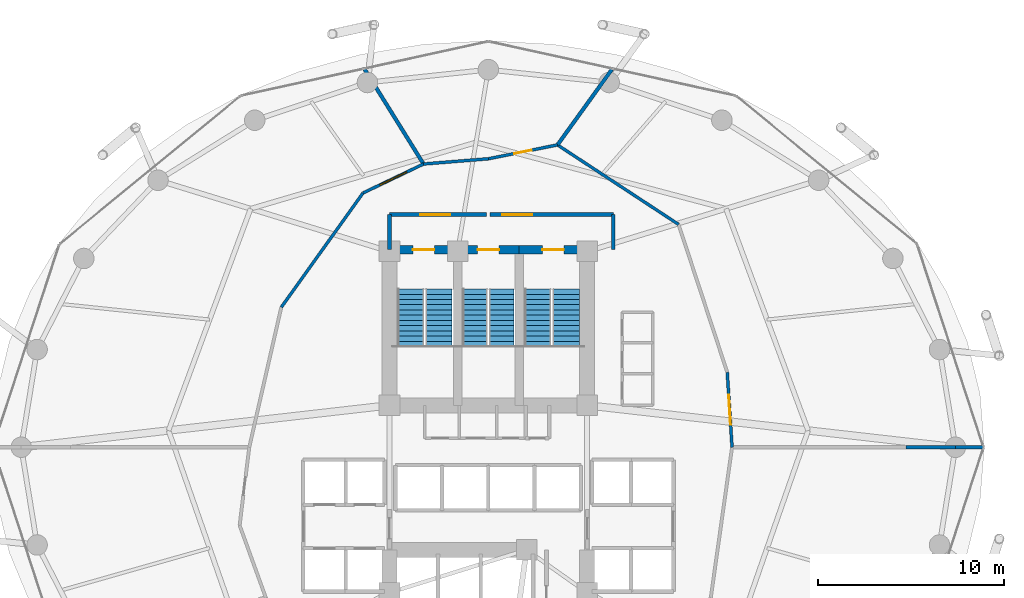
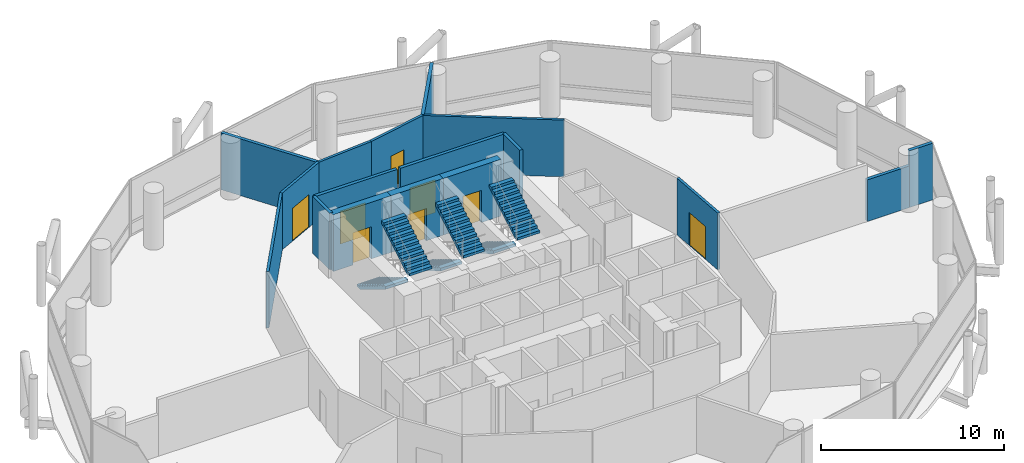
# One storey, part 23 of 24: 17 walls, 8 doors, 6 stair flights, 8 openings, 3 elements without a shape of their own.
"""IFC4 building model written with IfcOpenShell, lengths in metres."""

from ifc_helpers import new_model, si_unit, direction, frame, frame_2d, origin, place, context, subcontext, project, spatial, polyline, rectangle, outline, extrude, material, layer, layer_set, type_object, element, fill, aggregate, save


model = new_model("IFC4")

# Units and contexts
model_context = context("Model", 3, precision=1e-05, world=origin(), true_north=direction((0.0, 1.0)))
body_context = subcontext(model_context, "Body", "Model", "MODEL_VIEW")
ifc_project = project(units=[si_unit("LENGTHUNIT", "METRE"), si_unit("AREAUNIT", "SQUARE_METRE"), si_unit("VOLUMEUNIT", "CUBIC_METRE"), si_unit("PLANEANGLEUNIT", "RADIAN"), si_unit("MASSUNIT", "GRAM", prefix="KILO")], contexts=[model_context])

# Site, building, storey
site_placement = place(None, origin())
site = spatial("IfcSite", under=ifc_project, at=site_placement, CompositionType="ELEMENT")
building_placement = place(site_placement, origin())
building = spatial("IfcBuilding", under=site, at=building_placement, Name="Nuhasar Tower", CompositionType="ELEMENT")
storey_placement = place(building_placement, frame((0.0, 0.0, 29.10009765625)))
storey = spatial("IfcBuildingStorey", under=building, at=storey_placement, Name="L06", CompositionType="ELEMENT", Elevation=29.10009765625)

# Wall, opening, door
ifc_material_1 = material(Name="Concrete C50/60", Category="concrete")
ifc_layer_1 = layer(ifc_material_1, 0.449951171875)
ifc_layer_set_1 = layer_set([ifc_layer_1], Name="Concrete C50/60")
wall_type_1 = type_object("IfcWallType", Name="WL-CORE-450", PredefinedType="SHEAR", material=ifc_layer_set_1)
wall_1_placement = place(storey_placement, frame((37.35009765625, 37.39990234375, 0.0), z_axis=(0.0, 0.0, 1.0), x_axis=(-1.0, 0.0, 0.0)))
wall_1 = element("IfcWall", 1, at=wall_1_placement, inside=storey, type_object=wall_type_1, Name="L06 Stairwell Shear Wall ST01-N", PredefinedType="SHEAR", context=body_context, shape_type="SweptSolid", body=[
    extrude(rectangle(XDim=3.650146484375, YDim=0.449951171875, at=frame_2d((1.8251953125, 0.0))), origin(), (0.0, 0.0, 1.0), 3.789794921875),
])
opening_1_placement = place(wall_1_placement, frame((1.25, 0.0, 0.0)))
opening_1 = element("IfcOpeningElement", 2, at=opening_1_placement, cuts=wall_1, Name="Opening DS-01", PredefinedType="OPENING", context=body_context, shape_type="SweptSolid", body=[
    extrude(rectangle(XDim=1.14990234375, YDim=2.14990234375, at=frame_2d((0.574951171875, 1.074951171875))), frame((0.0, 0.23486328125, 0.0), z_axis=(0.0, -1.0, 0.0), x_axis=(1.0, 0.0, 0.0)), (0.0, 0.0, 1.0), 0.469970703125),
])
ifc_material_2 = material(Name="Steel S355", Category="steel")
door_type_1 = type_object("IfcDoorType", Name="DR-STAIR-FD120-1150", OperationType="NOTDEFINED", PredefinedType="DOOR", material=ifc_material_2)
door_1_placement = place(opening_1_placement, origin())
door_1 = element("IfcDoor", 3, at=door_1_placement, inside=storey, type_object=door_type_1, Name="L06 Exit Stair ST-01 Door", OperationType="SINGLE_SWING_RIGHT", OverallHeight=2.14990234375, OverallWidth=1.14990234375, PredefinedType="DOOR", context=body_context, shape_type="SweptSolid", body=[
    extrude(rectangle(XDim=1.14990234375, YDim=2.14990234375, at=frame_2d((0.574951171875, 1.074951171875))), frame((0.0, 0.02490234375, 0.0), z_axis=(0.0, -1.0, 0.0), x_axis=(1.0, 0.0, 0.0)), (0.0, 0.0, 1.0), 0.050048828125),
])
fill(opening_1, door_1)

wall_2_placement = place(storey_placement, frame((40.64990234375, 37.39990234375, 0.0), z_axis=(0.0, 0.0, 1.0), x_axis=(-1.0, 0.0, 0.0)))
wall_2 = element("IfcWall", 4, at=wall_2_placement, inside=storey, type_object=wall_type_1, Name="L06 Stairwell Shear Wall ST03-N", PredefinedType="SHEAR", context=body_context, shape_type="SweptSolid", body=[
    extrude(rectangle(XDim=3.2998046875, YDim=0.449951171875, at=frame_2d((1.64990234375, 0.0))), origin(), (0.0, 0.0, 1.0), 3.789794921875),
])
opening_2_placement = place(wall_2_placement, frame((1.074951171875, 0.0, 0.0)))
opening_2 = element("IfcOpeningElement", 5, at=opening_2_placement, cuts=wall_2, Name="Opening DS-01", PredefinedType="OPENING", context=body_context, shape_type="SweptSolid", body=[
    extrude(rectangle(XDim=1.14990234375, YDim=2.14990234375, at=frame_2d((0.574951171875, 1.074951171875))), frame((0.0, 0.23486328125, 0.0), z_axis=(0.0, -1.0, 0.0), x_axis=(1.0, 0.0, 0.0)), (0.0, 0.0, 1.0), 0.469970703125),
])
door_2_placement = place(opening_2_placement, origin())
door_2 = element("IfcDoor", 6, at=door_2_placement, inside=storey, type_object=door_type_1, Name="L06 Exit Stair ST-03 Door", OperationType="SINGLE_SWING_RIGHT", OverallHeight=2.14990234375, OverallWidth=1.14990234375, PredefinedType="DOOR", context=body_context, shape_type="SweptSolid", body=[
    extrude(rectangle(XDim=1.14990234375, YDim=2.14990234375, at=frame_2d((0.574951171875, 1.074951171875))), frame((0.0, 0.02490234375, 0.0), z_axis=(0.0, -1.0, 0.0), x_axis=(1.0, 0.0, 0.0)), (0.0, 0.0, 1.0), 0.050048828125),
])
fill(opening_2, door_2)

wall_3_placement = place(storey_placement, frame((44.300048828125, 37.39990234375, 0.0), z_axis=(0.0, 0.0, 1.0), x_axis=(-1.0, 0.0, 0.0)))
wall_3 = element("IfcWall", 7, at=wall_3_placement, inside=storey, type_object=wall_type_1, Name="L06 Stairwell Shear Wall ST02-N", PredefinedType="SHEAR", context=body_context, shape_type="SweptSolid", body=[
    extrude(rectangle(XDim=3.650146484375, YDim=0.449951171875, at=frame_2d((1.8251953125, 0.0))), origin(), (0.0, 0.0, 1.0), 3.789794921875),
])
opening_3_placement = place(wall_3_placement, frame((1.25, 0.0, 0.0)))
opening_3 = element("IfcOpeningElement", 8, at=opening_3_placement, cuts=wall_3, Name="Opening DS-01", PredefinedType="OPENING", context=body_context, shape_type="SweptSolid", body=[
    extrude(rectangle(XDim=1.14990234375, YDim=2.14990234375, at=frame_2d((0.574951171875, 1.074951171875))), frame((0.0, 0.23486328125, 0.0), z_axis=(0.0, -1.0, 0.0), x_axis=(1.0, 0.0, 0.0)), (0.0, 0.0, 1.0), 0.469970703125),
])
door_3_placement = place(opening_3_placement, origin())
door_3 = element("IfcDoor", 9, at=door_3_placement, inside=storey, type_object=door_type_1, Name="L06 Exit Stair ST-02 Door", OperationType="SINGLE_SWING_LEFT", OverallHeight=2.14990234375, OverallWidth=1.14990234375, PredefinedType="DOOR", context=body_context, shape_type="SweptSolid", body=[
    extrude(rectangle(XDim=1.14990234375, YDim=2.14990234375, at=frame_2d((0.574951171875, 1.074951171875))), frame((0.0, 0.02490234375, 0.0), z_axis=(0.0, -1.0, 0.0), x_axis=(1.0, 0.0, 0.0)), (0.0, 0.0, 1.0), 0.050048828125),
])
fill(opening_3, door_3)

ifc_material_3 = material(Name="Gypsum Board", Category="gypsum")
ifc_layer_2 = layer(ifc_material_3, 0.159912109375)
ifc_layer_set_2 = layer_set([ifc_layer_2], Name="Gypsum Board")
wall_type_2 = type_object("IfcWallType", Name="WL-CORR-160", PredefinedType="PARTITIONING", material=ifc_layer_set_2)
wall_4_placement = place(storey_placement, frame((51.81201171875, 30.822021484375, 0.0), z_axis=(0.0, 0.0, 1.0), x_axis=(0.064030047677, -0.997947971086, 0.0)))
wall_4 = element("IfcWall", 10, at=wall_4_placement, inside=storey, type_object=wall_type_2, Name="L06 Interior Partition CORR-00", PredefinedType="PARTITIONING", context=body_context, shape_type="SweptSolid", body=[
    extrude(rectangle(XDim=4.0302734375, YDim=0.159912109375, at=frame_2d((2.01513671875, 0.0))), origin(), (0.0, 0.0, 1.0), 3.789794921875),
])
opening_4_placement = place(wall_4_placement, frame((1.215087890625, 0.0, 0.0)))
opening_4 = element("IfcOpeningElement", 11, at=opening_4_placement, cuts=wall_4, Name="Opening DC-01", PredefinedType="OPENING", context=body_context, shape_type="SweptSolid", body=[
    extrude(rectangle(XDim=1.60009765625, YDim=2.199951171875, at=frame_2d((0.800048828125, 1.10009765625))), frame((0.0, 0.08984375, 0.0), z_axis=(0.0, -1.0, 0.0), x_axis=(1.0, 0.0, 0.0)), (0.0, 0.0, 1.0), 0.179931640625),
])
door_type_2 = type_object("IfcDoorType", Name="DR-CORR-FD60-1600", OperationType="DOUBLE_DOOR_SINGLE_SWING", PredefinedType="DOOR", material=ifc_material_2)
door_4_placement = place(opening_4_placement, origin())
door_4 = element("IfcDoor", 12, at=door_4_placement, inside=storey, type_object=door_type_2, Name="L06 Open-Plan Office North-East Entry Door", OperationType="DOUBLE_DOOR_SINGLE_SWING", OverallHeight=2.199951171875, OverallWidth=1.60009765625, PredefinedType="DOOR", context=body_context, shape_type="SweptSolid", body=[
    extrude(rectangle(XDim=1.60009765625, YDim=2.199951171875, at=frame_2d((0.800048828125, 1.10009765625))), frame((0.0, 0.02490234375, 0.0), z_axis=(0.0, -1.0, 0.0), x_axis=(1.0, 0.0, 0.0)), (0.0, 0.0, 1.0), 0.050048828125),
])
fill(opening_4, door_4)

# Wall
wall_5_placement = place(storey_placement, frame((49.200927734375, 38.751953125, 0.0), z_axis=(0.0, 0.0, 1.0), x_axis=(-0.835989779889, 0.548745011751, 0.0)))
element("IfcWall", 13, at=wall_5_placement, inside=storey, type_object=wall_type_2, Name="L06 Interior Partition CORR-06", PredefinedType="PARTITIONING", context=body_context, shape_type="SweptSolid", body=[
    extrude(rectangle(XDim=7.766845703125, YDim=0.159912109375, at=frame_2d((3.88330078125, 0.0))), origin(), (0.0, 0.0, 1.0), 3.789794921875),
])

# Wall, opening, door
wall_6_placement = place(storey_placement, frame((39.0, 42.27001953125, 0.0), z_axis=(0.0, 0.0, 1.0), x_axis=(0.980463806225, 0.196699579771, 0.0)))
wall_6 = element("IfcWall", 14, at=wall_6_placement, inside=storey, type_object=wall_type_2, Name="L06 Interior Partition CORR-10", PredefinedType="PARTITIONING", context=body_context, shape_type="SweptSolid", body=[
    extrude(rectangle(XDim=3.781982421875, YDim=0.159912109375, at=frame_2d((1.89111328125, 0.0))), origin(), (0.0, 0.0, 1.0), 3.789794921875),
])
opening_5_placement = place(wall_6_placement, frame((1.416015625, 0.0, 0.0)))
opening_5 = element("IfcOpeningElement", 15, at=opening_5_placement, cuts=wall_6, Name="Opening DO-01", PredefinedType="OPENING", context=body_context, shape_type="SweptSolid", body=[
    extrude(rectangle(XDim=0.949951171875, YDim=2.14990234375, at=frame_2d((0.47509765625, 1.074951171875))), frame((0.0, 0.08984375, 0.0), z_axis=(0.0, -1.0, 0.0), x_axis=(1.0, 0.0, 0.0)), (0.0, 0.0, 1.0), 0.179931640625),
])
ifc_material_4 = material(Name="Timber Oak", Category="wood")
door_type_3 = type_object("IfcDoorType", Name="DR-OFFICE-FD30-950", OperationType="NOTDEFINED", PredefinedType="DOOR", material=ifc_material_4)
door_5_placement = place(opening_5_placement, origin())
door_5 = element("IfcDoor", 16, at=door_5_placement, inside=storey, type_object=door_type_3, Name="L06 Executive Boardroom Entry Door", OperationType="SINGLE_SWING_RIGHT", OverallHeight=2.14990234375, OverallWidth=0.949951171875, PredefinedType="DOOR", context=body_context, shape_type="SweptSolid", body=[
    extrude(rectangle(XDim=0.949951171875, YDim=2.14990234375, at=frame_2d((0.47509765625, 1.074951171875))), frame((0.0, 0.02490234375, 0.0), z_axis=(0.0, -1.0, 0.0), x_axis=(1.0, 0.0, 0.0)), (0.0, 0.0, 1.0), 0.050048828125),
])
fill(opening_5, door_5)

# Wall
wall_7_placement = place(storey_placement, frame((39.0, 42.27001953125, 0.0), z_axis=(0.0, 0.0, 1.0), x_axis=(-0.99676721303, -0.080343780277, 0.0)))
element("IfcWall", 17, at=wall_7_placement, inside=storey, type_object=wall_type_2, Name="L06 Interior Partition CORR-12", PredefinedType="PARTITIONING", context=body_context, shape_type="SweptSolid", body=[
    extrude(rectangle(XDim=3.4853515625, YDim=0.159912109375, at=frame_2d((1.74267578125, 0.0))), origin(), (0.0, 0.0, 1.0), 3.789794921875),
])

# Wall, opening, door
wall_8_placement = place(storey_placement, frame((32.281005859375, 40.43603515625, 0.0), z_axis=(0.0, 0.0, 1.0), x_axis=(0.901911315708, 0.43192126435, 0.0)))
wall_8 = element("IfcWall", 18, at=wall_8_placement, inside=storey, type_object=wall_type_2, Name="L06 Interior Partition CORR-14", PredefinedType="PARTITIONING", context=body_context, shape_type="SweptSolid", body=[
    extrude(rectangle(XDim=3.59765625, YDim=0.159912109375, at=frame_2d((1.798828125, 0.0))), origin(), (0.0, 0.0, 1.0), 3.789794921875),
])
opening_6_placement = place(wall_8_placement, frame((0.9990234375, 0.0, 0.0)))
opening_6 = element("IfcOpeningElement", 19, at=opening_6_placement, cuts=wall_8, Name="Opening DC-01", PredefinedType="OPENING", context=body_context, shape_type="SweptSolid", body=[
    extrude(rectangle(XDim=1.60009765625, YDim=2.199951171875, at=frame_2d((0.800048828125, 1.10009765625))), frame((0.0, 0.08984375, 0.0), z_axis=(0.0, -1.0, 0.0), x_axis=(1.0, 0.0, 0.0)), (0.0, 0.0, 1.0), 0.179931640625),
])
door_6_placement = place(opening_6_placement, origin())
door_6 = element("IfcDoor", 20, at=door_6_placement, inside=storey, type_object=door_type_2, Name="L06 Open-Plan Office North-West Entry Door", OperationType="DOUBLE_DOOR_SINGLE_SWING", OverallHeight=2.199951171875, OverallWidth=1.60009765625, PredefinedType="DOOR", context=body_context, shape_type="SweptSolid", body=[
    extrude(rectangle(XDim=1.60009765625, YDim=2.199951171875, at=frame_2d((0.800048828125, 1.10009765625))), frame((0.0, 0.02490234375, 0.0), z_axis=(0.0, -1.0, 0.0), x_axis=(1.0, 0.0, 0.0)), (0.0, 0.0, 1.0), 0.050048828125),
])
fill(opening_6, door_6)

# Walls
wall_9_placement = place(storey_placement, frame((32.281005859375, 40.43603515625, 0.0), z_axis=(0.0, 0.0, 1.0), x_axis=(-0.581884927471, -0.813271130179, 0.0)))
element("IfcWall", 21, at=wall_9_placement, inside=storey, type_object=wall_type_2, Name="L06 Interior Partition CORR-16", PredefinedType="PARTITIONING", context=body_context, shape_type="SweptSolid", body=[
    extrude(rectangle(XDim=7.532470703125, YDim=0.159912109375, at=frame_2d((3.76611328125, 0.0))), origin(), (0.0, 0.0, 1.0), 3.789794921875),
])
ifc_material_5 = material(Name="Concrete C45/55", Category="concrete")
ifc_layer_3 = layer(ifc_material_5, 0.199951171875)
ifc_layer_set_3 = layer_set([ifc_layer_3], Name="Concrete C45/55")
wall_type_3 = type_object("IfcWallType", Name="WL-LOBBY-200", PredefinedType="SOLIDWALL", material=ifc_layer_set_3)
for number, where, z_axis, x_axis, name in (
    (22, (33.699951171875, 37.39990234375, 0.0), (0.0, 0.0, 1.0), (0.0, 1.0, 0.0), "L06 Interior Partition NSL-W"),
    (23, (45.699951171875, 37.39990234375, 0.0), (0.0, 0.0, 1.0), (0.0, 1.0, 0.0), "L06 Interior Partition NSL-E"),
):
    element("IfcWall", number, at=place(storey_placement, frame(where, z_axis=z_axis, x_axis=x_axis)), inside=storey, type_object=wall_type_3, Name=name, PredefinedType="SOLIDWALL", context=body_context, shape_type="SweptSolid", body=[
        extrude(rectangle(XDim=1.880126953125, YDim=0.199951171875, at=frame_2d((0.93994140625, 0.0))), origin(), (0.0, 0.0, 1.0), 3.789794921875),
    ])

# Wall, opening, door
wall_10_placement = place(storey_placement, frame((38.89990234375, 39.280029296875, 0.0), z_axis=(0.0, 0.0, 1.0), x_axis=(-1.0, 0.0, 0.0)))
wall_10 = element("IfcWall", 24, at=wall_10_placement, inside=storey, type_object=wall_type_3, Name="L06 Interior Partition NSL-N1", PredefinedType="SOLIDWALL", context=body_context, shape_type="SweptSolid", body=[
    extrude(rectangle(XDim=5.199951171875, YDim=0.199951171875, at=frame_2d((2.60009765625, 0.0))), origin(), (0.0, 0.0, 1.0), 3.789794921875),
])
opening_7_placement = place(wall_10_placement, frame((1.949951171875, 0.0, 0.0)))
opening_7 = element("IfcOpeningElement", 25, at=opening_7_placement, cuts=wall_10, Name="Opening DC-01", PredefinedType="OPENING", context=body_context, shape_type="SweptSolid", body=[
    extrude(rectangle(XDim=1.60009765625, YDim=2.199951171875, at=frame_2d((0.800048828125, 1.10009765625))), frame((0.0, 0.10986328125, 0.0), z_axis=(0.0, -1.0, 0.0), x_axis=(1.0, 0.0, 0.0)), (0.0, 0.0, 1.0), 0.219970703125),
])
door_7_placement = place(opening_7_placement, origin())
door_7 = element("IfcDoor", 26, at=door_7_placement, inside=storey, type_object=door_type_2, Name="L06 North Stair Lobby West Door", OperationType="DOUBLE_DOOR_SINGLE_SWING", OverallHeight=2.199951171875, OverallWidth=1.60009765625, PredefinedType="DOOR", context=body_context, shape_type="SweptSolid", body=[
    extrude(rectangle(XDim=1.60009765625, YDim=2.199951171875, at=frame_2d((0.800048828125, 1.10009765625))), frame((0.0, 0.02490234375, 0.0), z_axis=(0.0, -1.0, 0.0), x_axis=(1.0, 0.0, 0.0)), (0.0, 0.0, 1.0), 0.050048828125),
])
fill(opening_7, door_7)

wall_11_placement = place(storey_placement, frame((45.699951171875, 39.280029296875, 0.0), z_axis=(0.0, 0.0, 1.0), x_axis=(-1.0, 0.0, 0.0)))
wall_11 = element("IfcWall", 27, at=wall_11_placement, inside=storey, type_object=wall_type_3, Name="L06 Interior Partition NSL-N2", PredefinedType="SOLIDWALL", context=body_context, shape_type="SweptSolid", body=[
    extrude(rectangle(XDim=6.599853515625, YDim=0.199951171875, at=frame_2d((3.2998046875, 0.0))), origin(), (0.0, 0.0, 1.0), 3.789794921875),
])
opening_8_placement = place(wall_11_placement, frame((4.35009765625, 0.0, 0.0)))
opening_8 = element("IfcOpeningElement", 28, at=opening_8_placement, cuts=wall_11, Name="Opening DC-01", PredefinedType="OPENING", context=body_context, shape_type="SweptSolid", body=[
    extrude(rectangle(XDim=1.60009765625, YDim=2.199951171875, at=frame_2d((0.800048828125, 1.10009765625))), frame((0.0, 0.10986328125, 0.0), z_axis=(0.0, -1.0, 0.0), x_axis=(1.0, 0.0, 0.0)), (0.0, 0.0, 1.0), 0.219970703125),
])
door_8_placement = place(opening_8_placement, origin())
door_8 = element("IfcDoor", 29, at=door_8_placement, inside=storey, type_object=door_type_2, Name="L06 North Stair Lobby East Door", OperationType="DOUBLE_DOOR_SINGLE_SWING", OverallHeight=2.199951171875, OverallWidth=1.60009765625, PredefinedType="DOOR", context=body_context, shape_type="SweptSolid", body=[
    extrude(rectangle(XDim=1.60009765625, YDim=2.199951171875, at=frame_2d((0.800048828125, 1.10009765625))), frame((0.0, 0.02490234375, 0.0), z_axis=(0.0, -1.0, 0.0), x_axis=(1.0, 0.0, 0.0)), (0.0, 0.0, 1.0), 0.050048828125),
])
fill(opening_8, door_8)

# Walls
ifc_material_6 = material(Name="Concrete C40/50 precast", Category="concrete")
ifc_layer_4 = layer(ifc_material_6, 0.199951171875)
ifc_layer_set_4 = layer_set([ifc_layer_4], Name="Concrete C40/50 precast")
wall_type_4 = type_object("IfcWallType", Name="WL-UNIT-200", PredefinedType="PARTITIONING", material=ifc_layer_set_4)
wall_12_placement = place(storey_placement, frame((61.40087890625, 26.800048828125, 0.0), z_axis=(0.0, 0.0, 1.0), x_axis=(1.0, 0.0, 0.0)))
element("IfcWall", 30, at=wall_12_placement, inside=storey, type_object=wall_type_4, Name="L06 Interior Partition ORAD-00", PredefinedType="PARTITIONING", context=body_context, shape_type="SweptSolid", body=[
    extrude(rectangle(XDim=2.66015625, YDim=0.199951171875, at=frame_2d((1.330078125, 0.0))), origin(), (0.0, 0.0, 1.0), 2.77978515625),
])
wall_13_placement = place(storey_placement, frame((64.06103515625, 26.800048828125, 0.0), z_axis=(0.0, 0.0, 1.0), x_axis=(1.0, 0.0, 0.0)))
element("IfcWall", 31, at=wall_13_placement, inside=storey, type_object=wall_type_4, Name="L06 Interior Partition ORAD-00", PredefinedType="PARTITIONING", context=body_context, shape_type="SweptSolid", body=[
    extrude(rectangle(XDim=1.4638671875, YDim=0.199951171875, at=frame_2d((0.73193359375, 0.0))), origin(), (0.0, 0.0, 1.0), 3.789794921875),
])
wall_14_placement = place(storey_placement, frame((42.7080078125, 43.013916015625, 0.0), z_axis=(0.0, 0.0, 1.0), x_axis=(0.584877047309, 0.811121963413, 0.0)))
element("IfcWall", 32, at=wall_14_placement, inside=storey, type_object=wall_type_4, Name="L06 Interior Partition ORAD-10", PredefinedType="PARTITIONING", context=body_context, shape_type="SweptSolid", body=[
    extrude(rectangle(XDim=4.99951171875, YDim=0.199951171875, at=frame_2d((2.499755859375, 0.0))), origin(), (0.0, 0.0, 1.0), 3.789794921875),
])
wall_15_placement = place(storey_placement, frame((35.52587890625, 41.989990234375, 0.0), z_axis=(0.0, 0.0, 1.0), x_axis=(-0.527898308029, 0.849307586438, 0.0)))
element("IfcWall", 33, at=wall_15_placement, inside=storey, type_object=wall_type_4, Name="L06 Interior Partition ORAD-14", PredefinedType="PARTITIONING", context=body_context, shape_type="SweptSolid", body=[
    extrude(rectangle(XDim=5.980224609375, YDim=0.199951171875, at=frame_2d((2.990234375, 0.0))), origin(), (0.0, 0.0, 1.0), 3.789794921875),
])

# Stair, stair flights
stair_type_1 = type_object("IfcStairType", Name="STR-ST-01-2F-24R-1688", PredefinedType="HALF_TURN_STAIR", material=ifc_material_5)
stair_1_placement = place(storey_placement, origin())
stair_1 = element("IfcStair", 34, at=stair_1_placement, inside=storey, type_object=stair_type_1, Name="L06 Exit Stair ST-01", PredefinedType="HALF_TURN_STAIR")
stair_flight_type_1 = type_object("IfcStairFlightType", Name="SFL-ST-01-12R-1688", PredefinedType="STRAIGHT", material=ifc_material_5)
stair_flight_1_placement = place(storey_placement, frame((34.830078125, 35.284912109375, 0.0), z_axis=(0.0, 0.0, 1.0), x_axis=(0.0, -1.0, 0.0)))
stair_flight_1 = element("IfcStairFlight", 35, at=stair_flight_1_placement, type_object=stair_flight_type_1, Name="ST-01 flight 1", NumberOfRisers=12, NumberOfTreads=11, PredefinedType="STRAIGHT", RiserHeight=0.16875, TreadLength=0.28, context=body_context, shape_type="SweptSolid", body=[
    extrude(outline(polyline([(0.0, 0.0), (0.0, 0.168701171875), (0.280029296875, 0.168701171875), (0.280029296875, 0.33740234375), (0.56005859375, 0.33740234375), (0.56005859375, 0.50634765625), (0.840087890625, 0.50634765625), (0.840087890625, 0.675048828125), (1.1201171875, 0.675048828125), (1.1201171875, 0.84375), (1.39990234375, 0.84375), (1.39990234375, 1.012451171875), (1.679931640625, 1.012451171875), (1.679931640625, 1.18115234375), (1.9599609375, 1.18115234375), (1.9599609375, 1.35009765625), (2.239990234375, 1.35009765625), (2.239990234375, 1.518798828125), (2.52001953125, 1.518798828125), (2.52001953125, 1.6875), (2.800048828125, 1.6875), (2.800048828125, 1.856201171875), (3.080078125, 1.856201171875), (3.080078125, 2.02490234375), (3.080078125, 1.66943359375), (0.309814453125, 0.0), (0.0, 0.0)])), frame((0.0, 0.7099609375, 0.0), z_axis=(0.0, -1.0, 0.0), x_axis=(1.0, 0.0, 0.0)), (0.0, 0.0, 1.0), 1.419921875),
])
stair_flight_2_placement = place(storey_placement, frame((36.35009765625, 32.205078125, 2.02490234375), z_axis=(0.0, 0.0, 1.0), x_axis=(0.0, 1.0, 0.0)))
stair_flight_2 = element("IfcStairFlight", 36, at=stair_flight_2_placement, type_object=stair_flight_type_1, Name="ST-01 flight 2", NumberOfRisers=12, NumberOfTreads=11, PredefinedType="STRAIGHT", RiserHeight=0.16875, TreadLength=0.28, context=body_context, shape_type="SweptSolid", body=[
    extrude(outline(polyline([(0.0, 0.0), (0.0, 0.168701171875), (0.280029296875, 0.168701171875), (0.280029296875, 0.33740234375), (0.56005859375, 0.33740234375), (0.56005859375, 0.50634765625), (0.840087890625, 0.50634765625), (0.840087890625, 0.675048828125), (1.1201171875, 0.675048828125), (1.1201171875, 0.84375), (1.39990234375, 0.84375), (1.39990234375, 1.012451171875), (1.679931640625, 1.012451171875), (1.679931640625, 1.18115234375), (1.9599609375, 1.18115234375), (1.9599609375, 1.35009765625), (2.239990234375, 1.35009765625), (2.239990234375, 1.518798828125), (2.52001953125, 1.518798828125), (2.52001953125, 1.6875), (2.800048828125, 1.6875), (2.800048828125, 1.856201171875), (3.080078125, 1.856201171875), (3.080078125, 2.02490234375), (3.080078125, 1.66943359375), (0.309814453125, 0.0), (0.0, 0.0)])), frame((0.0, 0.7099609375, 0.0), z_axis=(0.0, -1.0, 0.0), x_axis=(1.0, 0.0, 0.0)), (0.0, 0.0, 1.0), 1.419921875),
])
aggregate(stair_1, [stair_flight_1, stair_flight_2])

stair_type_2 = type_object("IfcStairType", Name="STR-ST-02-2F-24R-1688", PredefinedType="HALF_TURN_STAIR", material=ifc_material_5)
stair_2_placement = place(storey_placement, origin())
stair_2 = element("IfcStair", 37, at=stair_2_placement, inside=storey, type_object=stair_type_2, Name="L06 Exit Stair ST-02", PredefinedType="HALF_TURN_STAIR")
stair_flight_type_2 = type_object("IfcStairFlightType", Name="SFL-ST-02-12R-1688", PredefinedType="STRAIGHT", material=ifc_material_5)
stair_flight_3_placement = place(storey_placement, frame((41.64990234375, 35.284912109375, 0.0), z_axis=(0.0, 0.0, 1.0), x_axis=(0.0, -1.0, 0.0)))
stair_flight_3 = element("IfcStairFlight", 38, at=stair_flight_3_placement, type_object=stair_flight_type_2, Name="ST-02 flight 1", NumberOfRisers=12, NumberOfTreads=11, PredefinedType="STRAIGHT", RiserHeight=0.16875, TreadLength=0.28, context=body_context, shape_type="SweptSolid", body=[
    extrude(outline(polyline([(0.0, 0.0), (0.0, 0.168701171875), (0.280029296875, 0.168701171875), (0.280029296875, 0.33740234375), (0.56005859375, 0.33740234375), (0.56005859375, 0.50634765625), (0.840087890625, 0.50634765625), (0.840087890625, 0.675048828125), (1.1201171875, 0.675048828125), (1.1201171875, 0.84375), (1.39990234375, 0.84375), (1.39990234375, 1.012451171875), (1.679931640625, 1.012451171875), (1.679931640625, 1.18115234375), (1.9599609375, 1.18115234375), (1.9599609375, 1.35009765625), (2.239990234375, 1.35009765625), (2.239990234375, 1.518798828125), (2.52001953125, 1.518798828125), (2.52001953125, 1.6875), (2.800048828125, 1.6875), (2.800048828125, 1.856201171875), (3.080078125, 1.856201171875), (3.080078125, 2.02490234375), (3.080078125, 1.66943359375), (0.309814453125, 0.0), (0.0, 0.0)])), frame((0.0, 0.7099609375, 0.0), z_axis=(0.0, -1.0, 0.0), x_axis=(1.0, 0.0, 0.0)), (0.0, 0.0, 1.0), 1.419921875),
])
stair_flight_4_placement = place(storey_placement, frame((43.169921875, 32.205078125, 2.02490234375), z_axis=(0.0, 0.0, 1.0), x_axis=(0.0, 1.0, 0.0)))
stair_flight_4 = element("IfcStairFlight", 39, at=stair_flight_4_placement, type_object=stair_flight_type_2, Name="ST-02 flight 2", NumberOfRisers=12, NumberOfTreads=11, PredefinedType="STRAIGHT", RiserHeight=0.16875, TreadLength=0.28, context=body_context, shape_type="SweptSolid", body=[
    extrude(outline(polyline([(0.0, 0.0), (0.0, 0.168701171875), (0.280029296875, 0.168701171875), (0.280029296875, 0.33740234375), (0.56005859375, 0.33740234375), (0.56005859375, 0.50634765625), (0.840087890625, 0.50634765625), (0.840087890625, 0.675048828125), (1.1201171875, 0.675048828125), (1.1201171875, 0.84375), (1.39990234375, 0.84375), (1.39990234375, 1.012451171875), (1.679931640625, 1.012451171875), (1.679931640625, 1.18115234375), (1.9599609375, 1.18115234375), (1.9599609375, 1.35009765625), (2.239990234375, 1.35009765625), (2.239990234375, 1.518798828125), (2.52001953125, 1.518798828125), (2.52001953125, 1.6875), (2.800048828125, 1.6875), (2.800048828125, 1.856201171875), (3.080078125, 1.856201171875), (3.080078125, 2.02490234375), (3.080078125, 1.66943359375), (0.309814453125, 0.0), (0.0, 0.0)])), frame((0.0, 0.7099609375, 0.0), z_axis=(0.0, -1.0, 0.0), x_axis=(1.0, 0.0, 0.0)), (0.0, 0.0, 1.0), 1.419921875),
])
aggregate(stair_2, [stair_flight_3, stair_flight_4])

stair_type_3 = type_object("IfcStairType", Name="STR-ST-03-2F-24R-1688", PredefinedType="HALF_TURN_STAIR", material=ifc_material_5)
stair_3_placement = place(storey_placement, origin())
stair_3 = element("IfcStair", 40, at=stair_3_placement, inside=storey, type_object=stair_type_3, Name="L06 Exit Stair ST-03", PredefinedType="HALF_TURN_STAIR")
stair_flight_type_3 = type_object("IfcStairFlightType", Name="SFL-ST-03-12R-1688", PredefinedType="STRAIGHT", material=ifc_material_5)
stair_flight_5_placement = place(storey_placement, frame((38.280029296875, 35.284912109375, 0.0), z_axis=(0.0, 0.0, 1.0), x_axis=(0.0, -1.0, 0.0)))
stair_flight_5 = element("IfcStairFlight", 41, at=stair_flight_5_placement, type_object=stair_flight_type_3, Name="ST-03 flight 1", NumberOfRisers=12, NumberOfTreads=11, PredefinedType="STRAIGHT", RiserHeight=0.16875, TreadLength=0.28, context=body_context, shape_type="SweptSolid", body=[
    extrude(outline(polyline([(0.0, 0.0), (0.0, 0.168701171875), (0.280029296875, 0.168701171875), (0.280029296875, 0.33740234375), (0.56005859375, 0.33740234375), (0.56005859375, 0.50634765625), (0.840087890625, 0.50634765625), (0.840087890625, 0.675048828125), (1.1201171875, 0.675048828125), (1.1201171875, 0.84375), (1.39990234375, 0.84375), (1.39990234375, 1.012451171875), (1.679931640625, 1.012451171875), (1.679931640625, 1.18115234375), (1.9599609375, 1.18115234375), (1.9599609375, 1.35009765625), (2.239990234375, 1.35009765625), (2.239990234375, 1.518798828125), (2.52001953125, 1.518798828125), (2.52001953125, 1.6875), (2.800048828125, 1.6875), (2.800048828125, 1.856201171875), (3.080078125, 1.856201171875), (3.080078125, 2.02490234375), (3.080078125, 1.66943359375), (0.309814453125, 0.0), (0.0, 0.0)])), frame((0.0, 0.669921875, 0.0), z_axis=(0.0, -1.0, 0.0), x_axis=(1.0, 0.0, 0.0)), (0.0, 0.0, 1.0), 1.340087890625),
])
stair_flight_6_placement = place(storey_placement, frame((39.719970703125, 32.205078125, 2.02490234375), z_axis=(0.0, 0.0, 1.0), x_axis=(0.0, 1.0, 0.0)))
stair_flight_6 = element("IfcStairFlight", 42, at=stair_flight_6_placement, type_object=stair_flight_type_3, Name="ST-03 flight 2", NumberOfRisers=12, NumberOfTreads=11, PredefinedType="STRAIGHT", RiserHeight=0.16875, TreadLength=0.28, context=body_context, shape_type="SweptSolid", body=[
    extrude(outline(polyline([(0.0, 0.0), (0.0, 0.168701171875), (0.280029296875, 0.168701171875), (0.280029296875, 0.33740234375), (0.56005859375, 0.33740234375), (0.56005859375, 0.50634765625), (0.840087890625, 0.50634765625), (0.840087890625, 0.675048828125), (1.1201171875, 0.675048828125), (1.1201171875, 0.84375), (1.39990234375, 0.84375), (1.39990234375, 1.012451171875), (1.679931640625, 1.012451171875), (1.679931640625, 1.18115234375), (1.9599609375, 1.18115234375), (1.9599609375, 1.35009765625), (2.239990234375, 1.35009765625), (2.239990234375, 1.518798828125), (2.52001953125, 1.518798828125), (2.52001953125, 1.6875), (2.800048828125, 1.6875), (2.800048828125, 1.856201171875), (3.080078125, 1.856201171875), (3.080078125, 2.02490234375), (3.080078125, 1.66943359375), (0.309814453125, 0.0), (0.0, 0.0)])), frame((0.0, 0.669921875, 0.0), z_axis=(0.0, -1.0, 0.0), x_axis=(1.0, 0.0, 0.0)), (0.0, 0.0, 1.0), 1.340087890625),
])
aggregate(stair_3, [stair_flight_5, stair_flight_6])

save(model, "model.ifc")
